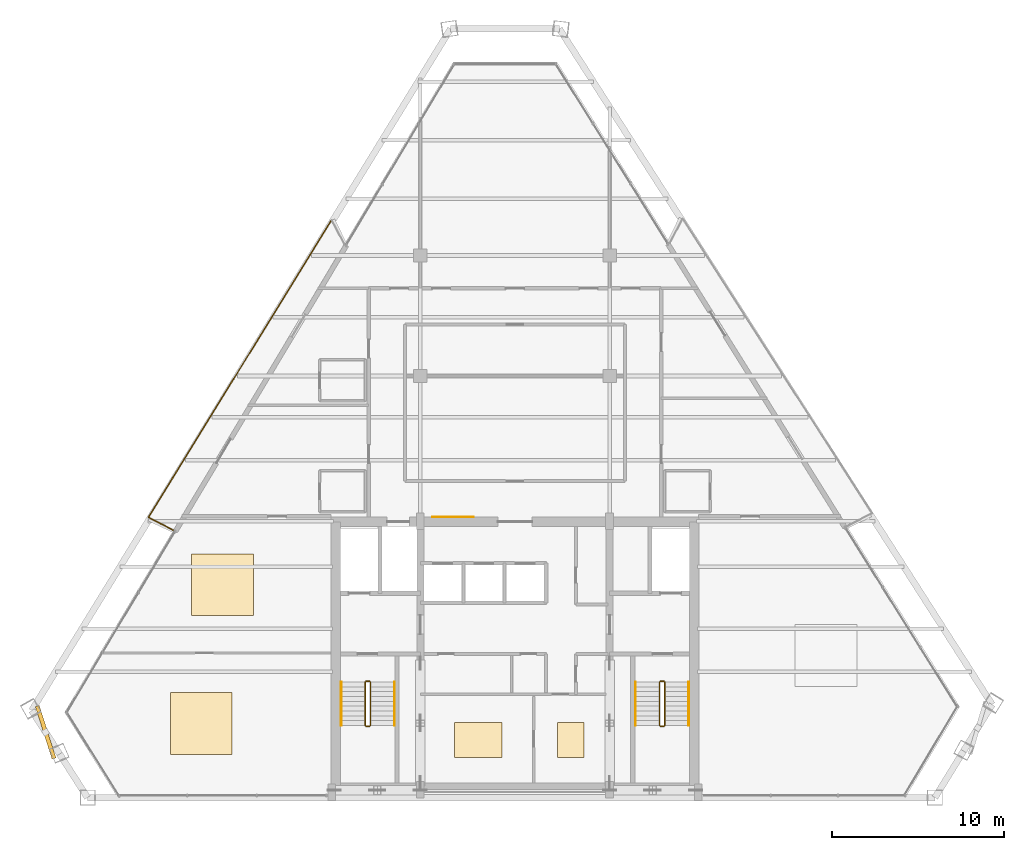
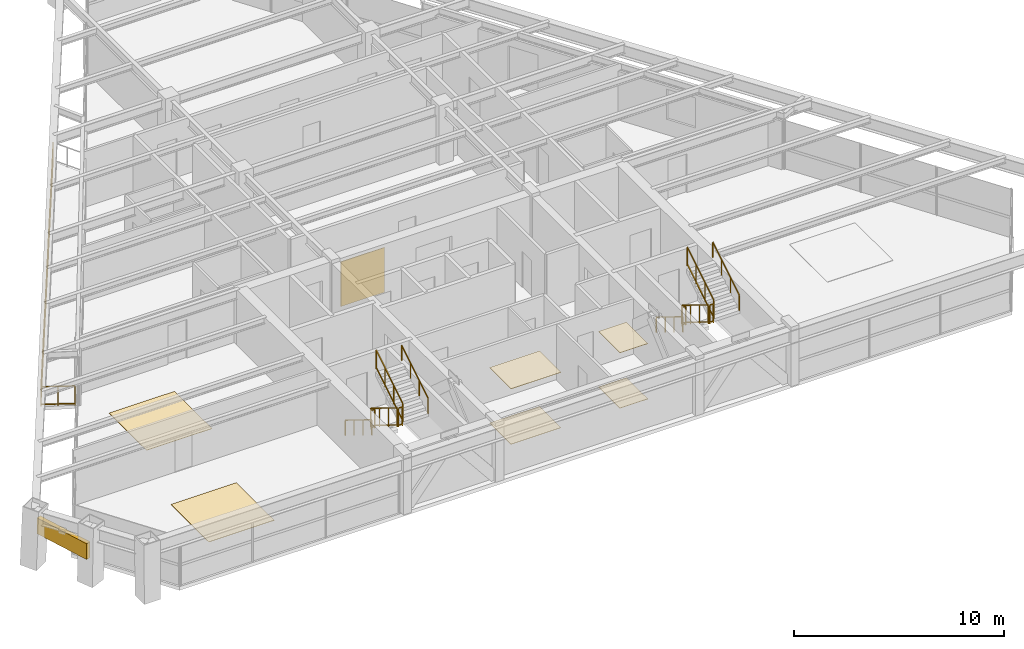
# One storey, part 11 of 12: 14 railings, 7 coverings, 1 shading device.
"""IFC4 building model written with IfcOpenShell, lengths in metres."""

from ifc_helpers import new_model, si_unit, direction, frame, origin, origin_2d, place, context, subcontext, project, spatial, rectangle, extrude, source, transform, mapped, material, layer, layer_set, type_object, type_shapes, element, save


model = new_model("IFC4")

# Units and contexts
model_context = context("Model", 3, precision=1e-05, world=origin(), true_north=direction((0.0, 1.0)))
body_context = subcontext(model_context, "Body", "Model", "MODEL_VIEW")
ifc_project = project(units=[si_unit("LENGTHUNIT", "METRE"), si_unit("AREAUNIT", "SQUARE_METRE"), si_unit("VOLUMEUNIT", "CUBIC_METRE"), si_unit("PLANEANGLEUNIT", "RADIAN"), si_unit("MASSUNIT", "GRAM", prefix="KILO")], contexts=[model_context])

# Site, building, storey
site_placement = place(None, origin())
site = spatial("IfcSite", under=ifc_project, at=site_placement, CompositionType="ELEMENT")
building_placement = place(site_placement, origin())
building = spatial("IfcBuilding", under=site, at=building_placement, Name="Varnakhor Terracotta Tower", CompositionType="ELEMENT")
storey_placement = place(building_placement, frame((0.0, 0.0, 223.449951171875)))
storey = spatial("IfcBuildingStorey", under=building, at=storey_placement, Name="L57", CompositionType="ELEMENT", Elevation=223.449951171875)

# Railings
ifc_material_1 = material(Name="Stainless Steel & Laminated Glass Guardrail", Category="steel")
railing_type_1 = type_object("IfcRailingType", Name="RLG-LOGGIA-GUARD-1150", PredefinedType="GUARDRAIL", material=ifc_material_1)
railing_1_placement = place(storey_placement, frame((-19.856201171875, 15.53564453125, 0.0)))
element("IfcRailing", 1, at=railing_1_placement, inside=storey, type_object=railing_type_1, Name="L57 W Loggia Glass Guard 1", PredefinedType="GUARDRAIL", context=body_context, shape_type="SweptSolid", body=[
    extrude(rectangle(XDim=0.048095703125, YDim=0.048095703125, at=origin_2d()), frame((0.0, 0.0, 1.1259765625), z_axis=(-0.888202891872, 0.459451436901, 0.0), x_axis=(-0.459451436901, -0.888202891872, 0.0)), (0.0, 0.0, 1.0), 1.63037109375),
    extrude(rectangle(XDim=0.048095703125, YDim=0.048095703125, at=origin_2d()), frame((0.0, 0.0, 0.10009765625), z_axis=(-0.888202891872, 0.459451436901, 0.0), x_axis=(-0.459451436901, -0.888202891872, 0.0)), (0.0, 0.0, 1.0), 1.63037109375),
    extrude(rectangle(XDim=0.0419921875, YDim=0.0419921875, at=origin_2d()), origin(), (0.0, 0.0, 1.0), 1.101806640625),
    extrude(rectangle(XDim=0.0419921875, YDim=0.0419921875, at=origin_2d()), frame((-0.72412109375, 0.37451171875, 0.0)), (0.0, 0.0, 1.0), 1.101806640625),
    extrude(rectangle(XDim=0.0419921875, YDim=0.0419921875, at=origin_2d()), frame((-1.447998046875, 0.7490234375, 0.0)), (0.0, 0.0, 1.0), 1.101806640625),
])
railing_2_placement = place(storey_placement, frame((-21.30419921875, 16.28466796875, 0.0)))
element("IfcRailing", 2, at=railing_2_placement, inside=storey, type_object=railing_type_1, Name="L57 W Loggia Glass Guard 2", PredefinedType="GUARDRAIL", context=body_context, shape_type="SweptSolid", body=[
    extrude(rectangle(XDim=0.048095703125, YDim=0.048095703125, at=origin_2d()), frame((0.0, 0.0, 1.1259765625), z_axis=(0.524590805423, 0.851354501289, 0.0), x_axis=(-0.851354501289, 0.524590805423, 0.0)), (0.0, 0.0, 1.0), 20.288818359375),
    extrude(rectangle(XDim=0.048095703125, YDim=0.048095703125, at=origin_2d()), frame((0.0, 0.0, 0.10009765625), z_axis=(0.524590805423, 0.851354501289, 0.0), x_axis=(-0.851354501289, 0.524590805423, 0.0)), (0.0, 0.0, 1.0), 20.288818359375),
    extrude(rectangle(XDim=0.0419921875, YDim=0.0419921875, at=origin_2d()), origin(), (0.0, 0.0, 1.0), 1.101806640625),
    extrude(rectangle(XDim=0.0419921875, YDim=0.0419921875, at=origin_2d()), frame((0.70947265625, 1.151611328125, 0.0)), (0.0, 0.0, 1.0), 1.101806640625),
    extrude(rectangle(XDim=0.0419921875, YDim=0.0419921875, at=origin_2d()), frame((1.419189453125, 2.302978515625, 0.0)), (0.0, 0.0, 1.0), 1.101806640625),
    extrude(rectangle(XDim=0.0419921875, YDim=0.0419921875, at=origin_2d()), frame((2.128662109375, 3.45458984375, 0.0)), (0.0, 0.0, 1.0), 1.101806640625),
    extrude(rectangle(XDim=0.0419921875, YDim=0.0419921875, at=origin_2d()), frame((2.838134765625, 4.606201171875, 0.0)), (0.0, 0.0, 1.0), 1.101806640625),
    extrude(rectangle(XDim=0.0419921875, YDim=0.0419921875, at=origin_2d()), frame((3.5478515625, 5.757568359375, 0.0)), (0.0, 0.0, 1.0), 1.101806640625),
    extrude(rectangle(XDim=0.0419921875, YDim=0.0419921875, at=origin_2d()), frame((4.25732421875, 6.9091796875, 0.0)), (0.0, 0.0, 1.0), 1.101806640625),
    extrude(rectangle(XDim=0.0419921875, YDim=0.0419921875, at=origin_2d()), frame((4.966796875, 8.060791015625, 0.0)), (0.0, 0.0, 1.0), 1.101806640625),
    extrude(rectangle(XDim=0.0419921875, YDim=0.0419921875, at=origin_2d()), frame((5.676513671875, 9.212158203125, 0.0)), (0.0, 0.0, 1.0), 1.101806640625),
    extrude(rectangle(XDim=0.0419921875, YDim=0.0419921875, at=origin_2d()), frame((6.385986328125, 10.36376953125, 0.0)), (0.0, 0.0, 1.0), 1.101806640625),
    extrude(rectangle(XDim=0.0419921875, YDim=0.0419921875, at=origin_2d()), frame((7.095458984375, 11.515380859375, 0.0)), (0.0, 0.0, 1.0), 1.101806640625),
    extrude(rectangle(XDim=0.0419921875, YDim=0.0419921875, at=origin_2d()), frame((7.80517578125, 12.666748046875, 0.0)), (0.0, 0.0, 1.0), 1.101806640625),
    extrude(rectangle(XDim=0.0419921875, YDim=0.0419921875, at=origin_2d()), frame((8.5146484375, 13.818359375, 0.0)), (0.0, 0.0, 1.0), 1.101806640625),
    extrude(rectangle(XDim=0.0419921875, YDim=0.0419921875, at=origin_2d()), frame((9.22412109375, 14.969970703125, 0.0)), (0.0, 0.0, 1.0), 1.101806640625),
    extrude(rectangle(XDim=0.0419921875, YDim=0.0419921875, at=origin_2d()), frame((9.933837890625, 16.121337890625, 0.0)), (0.0, 0.0, 1.0), 1.101806640625),
    extrude(rectangle(XDim=0.0419921875, YDim=0.0419921875, at=origin_2d()), frame((10.643310546875, 17.27294921875, 0.0)), (0.0, 0.0, 1.0), 1.101806640625),
])
ifc_material_2 = material(Name="Painted Steel Stairwell Guardrail", Category="steel")
railing_type_2 = type_object("IfcRailingType", Name="RLG-STAIR-GUARD-1120", PredefinedType="GUARDRAIL", material=ifc_material_2)
railing_3_placement = place(storey_placement, frame((-8.699951171875, 6.7099609375, 0.172607421875)))
element("IfcRailing", 3, at=railing_3_placement, inside=storey, type_object=railing_type_2, Name="L57 ST-1 stair guard 1", PredefinedType="GUARDRAIL", context=body_context, shape_type="SweptSolid", body=[
    extrude(rectangle(XDim=0.048095703125, YDim=0.048095703125, at=origin_2d()), frame((0.0, 0.0, 1.09619140625), z_axis=(0.0, -0.851400495292, 0.524516154772), x_axis=(1.0, 0.0, 0.0)), (0.0, 0.0, 1.0), 2.9599609375),
    extrude(rectangle(XDim=0.048095703125, YDim=0.048095703125, at=origin_2d()), frame((0.0, 0.0, 0.10009765625), z_axis=(0.0, -0.851400495292, 0.524516154772), x_axis=(1.0, 0.0, 0.0)), (0.0, 0.0, 1.0), 2.9599609375),
    extrude(rectangle(XDim=0.0419921875, YDim=0.0419921875, at=origin_2d()), origin(), (0.0, 0.0, 1.0), 1.072021484375),
    extrude(rectangle(XDim=0.0419921875, YDim=0.0419921875, at=origin_2d()), frame((0.0, -0.840087890625, 0.517578125)), (0.0, 0.0, 1.0), 1.072021484375),
    extrude(rectangle(XDim=0.0419921875, YDim=0.0419921875, at=origin_2d()), frame((0.0, -1.679931640625, 1.034912109375)), (0.0, 0.0, 1.0), 1.072021484375),
    extrude(rectangle(XDim=0.0419921875, YDim=0.0419921875, at=origin_2d()), frame((0.0, -2.52001953125, 1.552490234375)), (0.0, 0.0, 1.0), 1.072021484375),
])
railing_4_placement = place(storey_placement, frame((-8.64990234375, 4.139892578125, 1.72509765625)))
element("IfcRailing", 4, at=railing_4_placement, inside=storey, type_object=railing_type_2, Name="L57 ST-1 stair guard 2", PredefinedType="GUARDRAIL", context=body_context, shape_type="SweptSolid", body=[
    extrude(rectangle(XDim=0.048095703125, YDim=0.048095703125, at=origin_2d()), frame((0.0, 0.0, 1.09619140625), z_axis=(1.0, 0.0, 0.0), x_axis=(0.0, 1.0, 0.0)), (0.0, 0.0, 1.0), 0.199951171875),
    extrude(rectangle(XDim=0.048095703125, YDim=0.048095703125, at=origin_2d()), frame((0.0, 0.0, 0.10009765625), z_axis=(1.0, 0.0, 0.0), x_axis=(0.0, 1.0, 0.0)), (0.0, 0.0, 1.0), 0.199951171875),
    extrude(rectangle(XDim=0.0419921875, YDim=0.0419921875, at=origin_2d()), origin(), (0.0, 0.0, 1.0), 1.072021484375),
    extrude(rectangle(XDim=0.0419921875, YDim=0.0419921875, at=origin_2d()), frame((0.199951171875, 0.0, 0.0)), (0.0, 0.0, 1.0), 1.072021484375),
])
railing_5_placement = place(storey_placement, frame((-8.39990234375, 4.18994140625, 1.8974609375)))
element("IfcRailing", 5, at=railing_5_placement, inside=storey, type_object=railing_type_2, Name="L57 ST-1 stair guard 3", PredefinedType="GUARDRAIL", context=body_context, shape_type="SweptSolid", body=[
    extrude(rectangle(XDim=0.048095703125, YDim=0.048095703125, at=origin_2d()), frame((0.0, 0.0, 1.09619140625), z_axis=(0.0, 0.851400495292, 0.524516154772), x_axis=(-1.0, 0.0, 0.0)), (0.0, 0.0, 1.0), 2.9599609375),
    extrude(rectangle(XDim=0.048095703125, YDim=0.048095703125, at=origin_2d()), frame((0.0, 0.0, 0.10009765625), z_axis=(0.0, 0.851400495292, 0.524516154772), x_axis=(-1.0, 0.0, 0.0)), (0.0, 0.0, 1.0), 2.9599609375),
    extrude(rectangle(XDim=0.0419921875, YDim=0.0419921875, at=origin_2d()), origin(), (0.0, 0.0, 1.0), 1.072021484375),
    extrude(rectangle(XDim=0.0419921875, YDim=0.0419921875, at=origin_2d()), frame((0.0, 0.840087890625, 0.517578125)), (0.0, 0.0, 1.0), 1.072021484375),
    extrude(rectangle(XDim=0.0419921875, YDim=0.0419921875, at=origin_2d()), frame((0.0, 1.679931640625, 1.034912109375)), (0.0, 0.0, 1.0), 1.072021484375),
    extrude(rectangle(XDim=0.0419921875, YDim=0.0419921875, at=origin_2d()), frame((0.0, 2.52001953125, 1.552490234375)), (0.0, 0.0, 1.0), 1.072021484375),
])
railing_6_placement = place(storey_placement, frame((-8.64990234375, 6.760009765625, 0.0)))
element("IfcRailing", 6, at=railing_6_placement, inside=storey, type_object=railing_type_2, Name="L57 ST-1 stair guard 4", PredefinedType="GUARDRAIL", context=body_context, shape_type="SweptSolid", body=[
    extrude(rectangle(XDim=0.048095703125, YDim=0.048095703125, at=origin_2d()), frame((0.0, 0.0, 1.09619140625), z_axis=(1.0, 0.0, 0.0), x_axis=(0.0, 1.0, 0.0)), (0.0, 0.0, 1.0), 0.199951171875),
    extrude(rectangle(XDim=0.048095703125, YDim=0.048095703125, at=origin_2d()), frame((0.0, 0.0, 0.10009765625), z_axis=(1.0, 0.0, 0.0), x_axis=(0.0, 1.0, 0.0)), (0.0, 0.0, 1.0), 0.199951171875),
    extrude(rectangle(XDim=0.0419921875, YDim=0.0419921875, at=origin_2d()), origin(), (0.0, 0.0, 1.0), 1.072021484375),
    extrude(rectangle(XDim=0.0419921875, YDim=0.0419921875, at=origin_2d()), frame((0.199951171875, 0.0, 0.0)), (0.0, 0.0, 1.0), 1.072021484375),
])
railing_7_placement = place(storey_placement, frame((8.39990234375, 6.7099609375, 0.172607421875)))
element("IfcRailing", 7, at=railing_7_placement, inside=storey, type_object=railing_type_2, Name="L57 ST-2 stair guard 1", PredefinedType="GUARDRAIL", context=body_context, shape_type="SweptSolid", body=[
    extrude(rectangle(XDim=0.048095703125, YDim=0.048095703125, at=origin_2d()), frame((0.0, 0.0, 1.09619140625), z_axis=(0.0, -0.851400495292, 0.524516154772), x_axis=(1.0, 0.0, 0.0)), (0.0, 0.0, 1.0), 2.9599609375),
    extrude(rectangle(XDim=0.048095703125, YDim=0.048095703125, at=origin_2d()), frame((0.0, 0.0, 0.10009765625), z_axis=(0.0, -0.851400495292, 0.524516154772), x_axis=(1.0, 0.0, 0.0)), (0.0, 0.0, 1.0), 2.9599609375),
    extrude(rectangle(XDim=0.0419921875, YDim=0.0419921875, at=origin_2d()), origin(), (0.0, 0.0, 1.0), 1.072021484375),
    extrude(rectangle(XDim=0.0419921875, YDim=0.0419921875, at=origin_2d()), frame((0.0, -0.840087890625, 0.517578125)), (0.0, 0.0, 1.0), 1.072021484375),
    extrude(rectangle(XDim=0.0419921875, YDim=0.0419921875, at=origin_2d()), frame((0.0, -1.679931640625, 1.034912109375)), (0.0, 0.0, 1.0), 1.072021484375),
    extrude(rectangle(XDim=0.0419921875, YDim=0.0419921875, at=origin_2d()), frame((0.0, -2.52001953125, 1.552490234375)), (0.0, 0.0, 1.0), 1.072021484375),
])
railing_8_placement = place(storey_placement, frame((8.449951171875, 4.139892578125, 1.72509765625)))
element("IfcRailing", 8, at=railing_8_placement, inside=storey, type_object=railing_type_2, Name="L57 ST-2 stair guard 2", PredefinedType="GUARDRAIL", context=body_context, shape_type="SweptSolid", body=[
    extrude(rectangle(XDim=0.048095703125, YDim=0.048095703125, at=origin_2d()), frame((0.0, 0.0, 1.09619140625), z_axis=(1.0, 0.0, 0.0), x_axis=(0.0, 1.0, 0.0)), (0.0, 0.0, 1.0), 0.199951171875),
    extrude(rectangle(XDim=0.048095703125, YDim=0.048095703125, at=origin_2d()), frame((0.0, 0.0, 0.10009765625), z_axis=(1.0, 0.0, 0.0), x_axis=(0.0, 1.0, 0.0)), (0.0, 0.0, 1.0), 0.199951171875),
    extrude(rectangle(XDim=0.0419921875, YDim=0.0419921875, at=origin_2d()), origin(), (0.0, 0.0, 1.0), 1.072021484375),
    extrude(rectangle(XDim=0.0419921875, YDim=0.0419921875, at=origin_2d()), frame((0.199951171875, 0.0, 0.0)), (0.0, 0.0, 1.0), 1.072021484375),
])
railing_9_placement = place(storey_placement, frame((8.699951171875, 4.18994140625, 1.8974609375)))
element("IfcRailing", 9, at=railing_9_placement, inside=storey, type_object=railing_type_2, Name="L57 ST-2 stair guard 3", PredefinedType="GUARDRAIL", context=body_context, shape_type="SweptSolid", body=[
    extrude(rectangle(XDim=0.048095703125, YDim=0.048095703125, at=origin_2d()), frame((0.0, 0.0, 1.09619140625), z_axis=(0.0, 0.851400495292, 0.524516154772), x_axis=(-1.0, 0.0, 0.0)), (0.0, 0.0, 1.0), 2.9599609375),
    extrude(rectangle(XDim=0.048095703125, YDim=0.048095703125, at=origin_2d()), frame((0.0, 0.0, 0.10009765625), z_axis=(0.0, 0.851400495292, 0.524516154772), x_axis=(-1.0, 0.0, 0.0)), (0.0, 0.0, 1.0), 2.9599609375),
    extrude(rectangle(XDim=0.0419921875, YDim=0.0419921875, at=origin_2d()), origin(), (0.0, 0.0, 1.0), 1.072021484375),
    extrude(rectangle(XDim=0.0419921875, YDim=0.0419921875, at=origin_2d()), frame((0.0, 0.840087890625, 0.517578125)), (0.0, 0.0, 1.0), 1.072021484375),
    extrude(rectangle(XDim=0.0419921875, YDim=0.0419921875, at=origin_2d()), frame((0.0, 1.679931640625, 1.034912109375)), (0.0, 0.0, 1.0), 1.072021484375),
    extrude(rectangle(XDim=0.0419921875, YDim=0.0419921875, at=origin_2d()), frame((0.0, 2.52001953125, 1.552490234375)), (0.0, 0.0, 1.0), 1.072021484375),
])
railing_10_placement = place(storey_placement, frame((8.449951171875, 6.760009765625, 0.0)))
element("IfcRailing", 10, at=railing_10_placement, inside=storey, type_object=railing_type_2, Name="L57 ST-2 stair guard 4", PredefinedType="GUARDRAIL", context=body_context, shape_type="SweptSolid", body=[
    extrude(rectangle(XDim=0.048095703125, YDim=0.048095703125, at=origin_2d()), frame((0.0, 0.0, 1.09619140625), z_axis=(1.0, 0.0, 0.0), x_axis=(0.0, 1.0, 0.0)), (0.0, 0.0, 1.0), 0.199951171875),
    extrude(rectangle(XDim=0.048095703125, YDim=0.048095703125, at=origin_2d()), frame((0.0, 0.0, 0.10009765625), z_axis=(1.0, 0.0, 0.0), x_axis=(0.0, 1.0, 0.0)), (0.0, 0.0, 1.0), 0.199951171875),
    extrude(rectangle(XDim=0.0419921875, YDim=0.0419921875, at=origin_2d()), origin(), (0.0, 0.0, 1.0), 1.072021484375),
    extrude(rectangle(XDim=0.0419921875, YDim=0.0419921875, at=origin_2d()), frame((0.199951171875, 0.0, 0.0)), (0.0, 0.0, 1.0), 1.072021484375),
])
ifc_material_3 = material(Name="Brushed Stainless Steel Handrail", Category="steel")
railing_type_3 = type_object("IfcRailingType", Name="RLG-STAIR-HANDRAIL-920", PredefinedType="HANDRAIL", material=ifc_material_3)
railing_11_placement = place(storey_placement, frame((-10.10009765625, 6.7099609375, 0.172607421875)))
element("IfcRailing", 11, at=railing_11_placement, inside=storey, type_object=railing_type_3, Name="L57 ST-1 stair handrail 1", PredefinedType="HANDRAIL", context=body_context, shape_type="SweptSolid", body=[
    extrude(rectangle(XDim=0.048095703125, YDim=0.048095703125, at=origin_2d()), frame((0.0, 0.0, 0.89599609375), z_axis=(0.0, -0.851400495292, 0.524516154772), x_axis=(1.0, 0.0, 0.0)), (0.0, 0.0, 1.0), 2.9599609375),
    extrude(rectangle(XDim=0.0419921875, YDim=0.0419921875, at=origin_2d()), origin(), (0.0, 0.0, 1.0), 0.871826171875),
    extrude(rectangle(XDim=0.0419921875, YDim=0.0419921875, at=origin_2d()), frame((0.0, -0.840087890625, 0.517578125)), (0.0, 0.0, 1.0), 0.871826171875),
    extrude(rectangle(XDim=0.0419921875, YDim=0.0419921875, at=origin_2d()), frame((0.0, -1.679931640625, 1.034912109375)), (0.0, 0.0, 1.0), 0.871826171875),
    extrude(rectangle(XDim=0.0419921875, YDim=0.0419921875, at=origin_2d()), frame((0.0, -2.52001953125, 1.552490234375)), (0.0, 0.0, 1.0), 0.871826171875),
])
railing_12_placement = place(storey_placement, frame((-7.0, 4.18994140625, 1.8974609375)))
element("IfcRailing", 12, at=railing_12_placement, inside=storey, type_object=railing_type_3, Name="L57 ST-1 stair handrail 2", PredefinedType="HANDRAIL", context=body_context, shape_type="SweptSolid", body=[
    extrude(rectangle(XDim=0.048095703125, YDim=0.048095703125, at=origin_2d()), frame((0.0, 0.0, 0.89599609375), z_axis=(0.0, 0.851400495292, 0.524516154772), x_axis=(-1.0, 0.0, 0.0)), (0.0, 0.0, 1.0), 2.9599609375),
    extrude(rectangle(XDim=0.0419921875, YDim=0.0419921875, at=origin_2d()), origin(), (0.0, 0.0, 1.0), 0.871826171875),
    extrude(rectangle(XDim=0.0419921875, YDim=0.0419921875, at=origin_2d()), frame((0.0, 0.840087890625, 0.517578125)), (0.0, 0.0, 1.0), 0.871826171875),
    extrude(rectangle(XDim=0.0419921875, YDim=0.0419921875, at=origin_2d()), frame((0.0, 1.679931640625, 1.034912109375)), (0.0, 0.0, 1.0), 0.871826171875),
    extrude(rectangle(XDim=0.0419921875, YDim=0.0419921875, at=origin_2d()), frame((0.0, 2.52001953125, 1.552490234375)), (0.0, 0.0, 1.0), 0.871826171875),
])
railing_13_placement = place(storey_placement, frame((7.0, 6.7099609375, 0.172607421875)))
element("IfcRailing", 13, at=railing_13_placement, inside=storey, type_object=railing_type_3, Name="L57 ST-2 stair handrail 1", PredefinedType="HANDRAIL", context=body_context, shape_type="SweptSolid", body=[
    extrude(rectangle(XDim=0.048095703125, YDim=0.048095703125, at=origin_2d()), frame((0.0, 0.0, 0.89599609375), z_axis=(0.0, -0.851400495292, 0.524516154772), x_axis=(1.0, 0.0, 0.0)), (0.0, 0.0, 1.0), 2.9599609375),
    extrude(rectangle(XDim=0.0419921875, YDim=0.0419921875, at=origin_2d()), origin(), (0.0, 0.0, 1.0), 0.871826171875),
    extrude(rectangle(XDim=0.0419921875, YDim=0.0419921875, at=origin_2d()), frame((0.0, -0.840087890625, 0.517578125)), (0.0, 0.0, 1.0), 0.871826171875),
    extrude(rectangle(XDim=0.0419921875, YDim=0.0419921875, at=origin_2d()), frame((0.0, -1.679931640625, 1.034912109375)), (0.0, 0.0, 1.0), 0.871826171875),
    extrude(rectangle(XDim=0.0419921875, YDim=0.0419921875, at=origin_2d()), frame((0.0, -2.52001953125, 1.552490234375)), (0.0, 0.0, 1.0), 0.871826171875),
])
railing_14_placement = place(storey_placement, frame((10.10009765625, 4.18994140625, 1.8974609375)))
element("IfcRailing", 14, at=railing_14_placement, inside=storey, type_object=railing_type_3, Name="L57 ST-2 stair handrail 2", PredefinedType="HANDRAIL", context=body_context, shape_type="SweptSolid", body=[
    extrude(rectangle(XDim=0.048095703125, YDim=0.048095703125, at=origin_2d()), frame((0.0, 0.0, 0.89599609375), z_axis=(0.0, 0.851400495292, 0.524516154772), x_axis=(-1.0, 0.0, 0.0)), (0.0, 0.0, 1.0), 2.9599609375),
    extrude(rectangle(XDim=0.0419921875, YDim=0.0419921875, at=origin_2d()), origin(), (0.0, 0.0, 1.0), 0.871826171875),
    extrude(rectangle(XDim=0.0419921875, YDim=0.0419921875, at=origin_2d()), frame((0.0, 0.840087890625, 0.517578125)), (0.0, 0.0, 1.0), 0.871826171875),
    extrude(rectangle(XDim=0.0419921875, YDim=0.0419921875, at=origin_2d()), frame((0.0, 1.679931640625, 1.034912109375)), (0.0, 0.0, 1.0), 0.871826171875),
    extrude(rectangle(XDim=0.0419921875, YDim=0.0419921875, at=origin_2d()), frame((0.0, 2.52001953125, 1.552490234375)), (0.0, 0.0, 1.0), 0.871826171875),
])

# Shading device
ifc_material_4 = material(Name="Extruded Architectural Terracotta Screen", Category="masonry")
shading_device_type = type_object("IfcShadingDeviceType", Name="TERRACOTTA SOLAR SCREEN W", PredefinedType="USERDEFINED", material=ifc_material_4)
shared_shape_1 = source(origin(), body_context, "Body", "SweptSolid", [
    extrude(rectangle(XDim=3.199951171875, YDim=0.239990234375, at=origin_2d()), origin(), (0.0, 0.0, 1.0), 0.919921875),
])
type_shapes(shading_device_type, [shared_shape_1])
shading_device_placement = place(storey_placement, frame((-27.2744140625, 3.793701171875, 1.56201171875), z_axis=(0.0, 0.0, 1.0), x_axis=(0.302968738385, -0.953000495048, 0.0)))
element("IfcShadingDevice", 15, at=shading_device_placement, inside=storey, type_object=shading_device_type, Name="L57 W Terracotta Solar Screen", ObjectType="SCREEN", PredefinedType="USERDEFINED", context=body_context, shape_type="MappedRepresentation", body=[
    mapped(shared_shape_1, transform((0.0, 0.0, 0.0), scale=1.0)),
])

# Coverings
ifc_material_5 = material(Name="Extruded Architectural Terracotta Cladding", Category="masonry")
ifc_layer_1 = layer(ifc_material_5, 0.044921875, Name="Extruded Architectural Terracotta Cladding")
ifc_layer_set_1 = layer_set([ifc_layer_1], Name="Extruded Architectural Terracotta Cladding")
covering_type_1 = type_object("IfcCoveringType", Name="COV-CLAD-TERRACOTTA", PredefinedType="CLADDING", material=ifc_layer_set_1)
shared_shape_2 = source(origin(), body_context, "Body", "SweptSolid", [
    extrude(rectangle(XDim=2.39990234375, YDim=0.030029296875, at=origin_2d()), origin(), (0.0, 0.0, 1.0), 2.60009765625),
])
type_shapes(covering_type_1, [shared_shape_2])
covering_1_placement = place(storey_placement, frame((-3.60009765625, 16.31201171875, 0.0), z_axis=(0.0, 0.0, 1.0), x_axis=(1.0, 0.0, 0.0)))
element("IfcCovering", 16, at=covering_1_placement, inside=storey, type_object=covering_type_1, Name="L57 Core Lobby Limestone Cladding", PredefinedType="CLADDING", context=body_context, shape_type="MappedRepresentation", body=[
    mapped(shared_shape_2, transform((0.0, 0.0, 0.0), scale=1.0)),
])
ifc_material_6 = material(Name="Honed Riyadh Limestone Flooring", Category="masonry")
ifc_layer_2 = layer(ifc_material_6, 0.030029296875, Name="Honed Riyadh Limestone Flooring")
ifc_layer_set_2 = layer_set([ifc_layer_2], Name="Honed Riyadh Limestone Flooring")
covering_type_2 = type_object("IfcCoveringType", Name="COV-FLOOR-LIMESTONE", PredefinedType="FLOORING", material=ifc_layer_set_2)
shared_shape_3 = source(origin(), body_context, "Body", "SweptSolid", [
    extrude(rectangle(XDim=3.60009765625, YDim=3.60009765625, at=origin_2d()), origin(), (0.0, 0.0, 1.0), 0.02001953125),
])
covering_2_placement = place(storey_placement, frame((-18.23095703125, 4.303955078125, 0.0), z_axis=(0.0, 0.0, 1.0), x_axis=(1.0, 0.0, 0.0)))
element("IfcCovering", 17, at=covering_2_placement, inside=storey, type_object=covering_type_2, Name="L57 Honed Stone Flooring 3", PredefinedType="FLOORING", context=body_context, shape_type="MappedRepresentation", body=[
    mapped(shared_shape_3, transform((0.0, 0.0, 0.0), scale=1.0)),
])
shared_shape_4 = source(origin(), body_context, "Body", "SweptSolid", [
    extrude(rectangle(XDim=2.75, YDim=2.041015625, at=origin_2d()), origin(), (0.0, 0.0, 1.0), 0.02001953125),
])
covering_3_placement = place(storey_placement, frame((-2.139892578125, 3.35498046875, 0.0), z_axis=(0.0, 0.0, 1.0), x_axis=(1.0, 0.0, 0.0)))
element("IfcCovering", 18, at=covering_3_placement, inside=storey, type_object=covering_type_2, Name="L57 Honed Stone Flooring 1", PredefinedType="FLOORING", context=body_context, shape_type="MappedRepresentation", body=[
    mapped(shared_shape_4, transform((0.0, 0.0, 0.0), scale=1.0)),
])
ifc_material_7 = material(Name="Perforated Acoustic Mineral-Fibre Ceiling", Category="gypsum")
ifc_layer_3 = layer(ifc_material_7, 0.02490234375, Name="Perforated Acoustic Mineral-Fibre Ceiling")
ifc_layer_set_3 = layer_set([ifc_layer_3], Name="Perforated Acoustic Mineral-Fibre Ceiling")
covering_type_3 = type_object("IfcCoveringType", Name="COV-CEILING-ACOUSTIC", PredefinedType="CEILING", material=ifc_layer_set_3)
shared_shape_5 = source(origin(), body_context, "Body", "SweptSolid", [
    extrude(rectangle(XDim=2.75, YDim=2.041015625, at=origin_2d()), origin(), (0.0, 0.0, 1.0), 0.02392578125),
])
covering_4_placement = place(storey_placement, frame((-2.139892578125, 3.35498046875, 3.216064453125), z_axis=(0.0, 0.0, 1.0), x_axis=(1.0, 0.0, 0.0)))
element("IfcCovering", 19, at=covering_4_placement, inside=storey, type_object=covering_type_3, Name="L57 Acoustic Ceiling Panel 1", PredefinedType="CEILING", context=body_context, shape_type="MappedRepresentation", body=[
    mapped(shared_shape_5, transform((0.0, 0.0, 0.0), scale=1.0)),
])
shared_shape_6 = source(origin(), body_context, "Body", "SweptSolid", [
    extrude(rectangle(XDim=1.5400390625, YDim=2.041015625, at=origin_2d()), origin(), (0.0, 0.0, 1.0), 0.02001953125),
])
covering_5_placement = place(storey_placement, frame((3.239990234375, 3.35498046875, 0.0), z_axis=(0.0, 0.0, 1.0), x_axis=(1.0, 0.0, 0.0)))
element("IfcCovering", 20, at=covering_5_placement, inside=storey, type_object=covering_type_2, Name="L57 Honed Stone Flooring 2", PredefinedType="FLOORING", context=body_context, shape_type="MappedRepresentation", body=[
    mapped(shared_shape_6, transform((0.0, 0.0, 0.0), scale=1.0)),
])
shared_shape_7 = source(origin(), body_context, "Body", "SweptSolid", [
    extrude(rectangle(XDim=1.5400390625, YDim=2.041015625, at=origin_2d()), origin(), (0.0, 0.0, 1.0), 0.02392578125),
])
covering_6_placement = place(storey_placement, frame((3.239990234375, 3.35498046875, 3.216064453125), z_axis=(0.0, 0.0, 1.0), x_axis=(1.0, 0.0, 0.0)))
element("IfcCovering", 21, at=covering_6_placement, inside=storey, type_object=covering_type_3, Name="L57 Acoustic Ceiling Panel 2", PredefinedType="CEILING", context=body_context, shape_type="MappedRepresentation", body=[
    mapped(shared_shape_7, transform((0.0, 0.0, 0.0), scale=1.0)),
])
shared_shape_8 = source(origin(), body_context, "Body", "SweptSolid", [
    extrude(rectangle(XDim=3.60009765625, YDim=3.56396484375, at=origin_2d()), origin(), (0.0, 0.0, 1.0), 0.02001953125),
])
covering_7_placement = place(storey_placement, frame((-16.989013671875, 12.361083984375, 0.0), z_axis=(0.0, 0.0, 1.0), x_axis=(1.0, 0.0, 0.0)))
element("IfcCovering", 22, at=covering_7_placement, inside=storey, type_object=covering_type_2, Name="L57 Honed Stone Flooring 5", PredefinedType="FLOORING", context=body_context, shape_type="MappedRepresentation", body=[
    mapped(shared_shape_8, transform((0.0, 0.0, 0.0), scale=1.0)),
])

save(model, "model.ifc")
